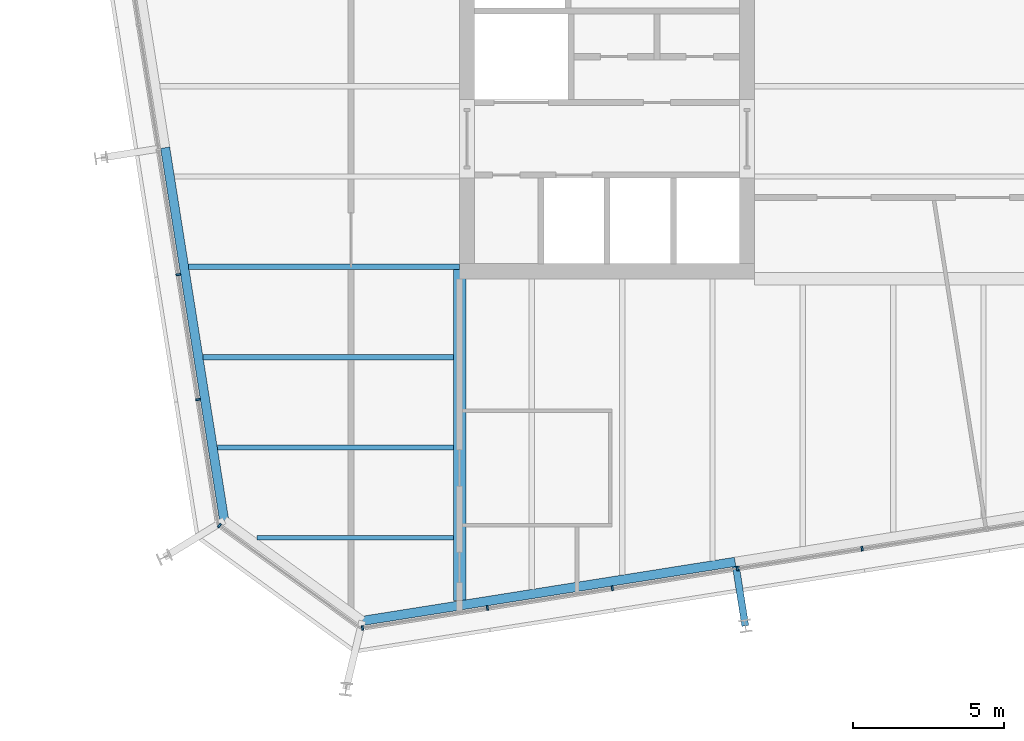
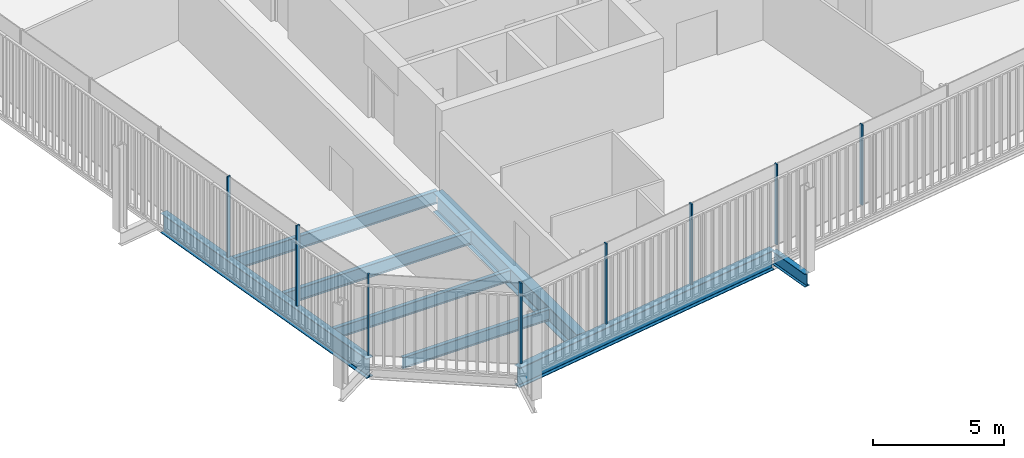
# One storey, part 2 of 20: 8 beams, 8 members, 3 elements without a shape of their own.
"""IFC4 building model written with IfcOpenShell, lengths in metres."""

from ifc_helpers import new_model, si_unit, direction, frame, origin, origin_2d, place, context, subcontext, project, spatial, rectangle, i_section, extrude, material, layer, layer_set, material_profile, profile_set, type_object, element, aggregate, save


model = new_model("IFC4")

# Units and contexts
model_context = context("Model", 3, precision=1e-05, world=origin(), true_north=direction((0.0, 1.0)))
body_context = subcontext(model_context, "Body", "Model", "MODEL_VIEW")
ifc_project = project(units=[si_unit("LENGTHUNIT", "METRE"), si_unit("AREAUNIT", "SQUARE_METRE"), si_unit("VOLUMEUNIT", "CUBIC_METRE"), si_unit("PLANEANGLEUNIT", "RADIAN"), si_unit("MASSUNIT", "GRAM", prefix="KILO")], contexts=[model_context])

# Site, building, storey
site_placement = place(None, origin())
site = spatial("IfcSite", under=ifc_project, at=site_placement, CompositionType="ELEMENT")
building_placement = place(site_placement, origin())
building = spatial("IfcBuilding", under=site, at=building_placement, Name="Millrace Tower", CompositionType="ELEMENT")
storey_placement = place(building_placement, frame((0.0, 0.0, 216.39990234375)))
storey = spatial("IfcBuildingStorey", under=building, at=storey_placement, Name="L49", CompositionType="ELEMENT", Elevation=216.39990234375)

# Curtain wall, member
ifc_material_1 = material(Name="Aluminium and glass", Category="aluminium")
ifc_layer = layer(ifc_material_1, 0.14990234375)
ifc_layer_set = layer_set([ifc_layer], Name="Aluminium and glass")
curtain_wall_type = type_object("IfcCurtainWallType", Name="CW-1 office vision curtain wall", PredefinedType="NOTDEFINED", material=ifc_layer_set)
placement = place(storey_placement, origin())
curtain_wall_1 = element("IfcCurtainWall", 1, at=placement, inside=storey, type_object=curtain_wall_type, Name="Curtain wall D-F01 L49", PredefinedType="NOTDEFINED")
ifc_material_2 = material(Name="Aluminium", Category="aluminium")
ifc_material_profile_1 = material_profile(ifc_material_2, rectangle(XDim=0.06494140625, YDim=0.14990234375, at=origin_2d()))
ifc_profile_set_1 = profile_set([ifc_material_profile_1], Name="Aluminium")
member_type = type_object("IfcMemberType", Name="CW-1 office vision curtain wall mullion", PredefinedType="MULLION", material=ifc_profile_set_1)
member_1_placement = place(storey_placement, frame((-22.3779296875, -17.594970703125, 0.14013671875), z_axis=(0.0, 0.0, 1.0), x_axis=(0.809016955361, -0.587785305991, 0.0)))
member_1 = element("IfcMember", 2, at=member_1_placement, type_object=member_type, Name="CW1 mullion D-F01.1", PredefinedType="MULLION", context=body_context, shape_type="SweptSolid", body=[
    extrude(rectangle(XDim=0.06494140625, YDim=0.14990234375, at=origin_2d()), origin(), (0.0, 0.0, 1.0), 3.760009765625),
])
aggregate(curtain_wall_1, [member_1])

# Curtain wall, members
curtain_wall_2 = element("IfcCurtainWall", 3, at=placement, inside=storey, type_object=curtain_wall_type, Name="Curtain wall D-F02 L49", PredefinedType="NOTDEFINED")
member_2_placement = place(storey_placement, frame((-17.62548828125, -20.992431640625, 0.14013671875), z_axis=(0.0, 0.0, 1.0), x_axis=(0.987688339511, 0.156434471884, 0.0)))
member_2 = element("IfcMember", 4, at=member_2_placement, type_object=member_type, Name="CW1 mullion D-F02.1", PredefinedType="MULLION", context=body_context, shape_type="SweptSolid", body=[
    extrude(rectangle(XDim=0.06494140625, YDim=0.14990234375, at=origin_2d()), origin(), (0.0, 0.0, 1.0), 3.760009765625),
])
member_3_placement = place(storey_placement, frame((-13.477294921875, -20.33544921875, 0.14013671875), z_axis=(0.0, 0.0, 1.0), x_axis=(0.987688339511, 0.156434471884, 0.0)))
member_3 = element("IfcMember", 5, at=member_3_placement, type_object=member_type, Name="CW1 mullion D-F02.2", PredefinedType="MULLION", context=body_context, shape_type="SweptSolid", body=[
    extrude(rectangle(XDim=0.06494140625, YDim=0.14990234375, at=origin_2d()), origin(), (0.0, 0.0, 1.0), 3.760009765625),
])
member_4_placement = place(storey_placement, frame((-9.328857421875, -19.678466796875, 0.14013671875), z_axis=(0.0, 0.0, 1.0), x_axis=(0.987688339511, 0.156434471884, 0.0)))
member_4 = element("IfcMember", 6, at=member_4_placement, type_object=member_type, Name="CW1 mullion D-F02.3", PredefinedType="MULLION", context=body_context, shape_type="SweptSolid", body=[
    extrude(rectangle(XDim=0.06494140625, YDim=0.14990234375, at=origin_2d()), origin(), (0.0, 0.0, 1.0), 3.760009765625),
])
member_5_placement = place(storey_placement, frame((-5.1806640625, -19.021240234375, 0.14013671875), z_axis=(0.0, 0.0, 1.0), x_axis=(0.987688339511, 0.156434471884, 0.0)))
member_5 = element("IfcMember", 7, at=member_5_placement, type_object=member_type, Name="CW1 mullion D-F02.4", PredefinedType="MULLION", context=body_context, shape_type="SweptSolid", body=[
    extrude(rectangle(XDim=0.06494140625, YDim=0.14990234375, at=origin_2d()), origin(), (0.0, 0.0, 1.0), 3.760009765625),
])
member_6_placement = place(storey_placement, frame((-1.0322265625, -18.3642578125, 0.14013671875), z_axis=(0.0, 0.0, 1.0), x_axis=(0.987688339511, 0.156434471884, 0.0)))
member_6 = element("IfcMember", 8, at=member_6_placement, type_object=member_type, Name="CW1 mullion D-F02.5", PredefinedType="MULLION", context=body_context, shape_type="SweptSolid", body=[
    extrude(rectangle(XDim=0.06494140625, YDim=0.14990234375, at=origin_2d()), origin(), (0.0, 0.0, 1.0), 3.760009765625),
])
aggregate(curtain_wall_2, [member_2, member_3, member_4, member_5, member_6])

curtain_wall_3 = element("IfcCurtainWall", 9, at=placement, inside=storey, type_object=curtain_wall_type, Name="Curtain wall D-F08 L49", PredefinedType="NOTDEFINED")
member_7_placement = place(storey_placement, frame((-23.7431640625, -9.262451171875, 0.14013671875), z_axis=(0.0, 0.0, 1.0), x_axis=(0.156434471884, -0.987688339511, 0.0)))
member_7 = element("IfcMember", 10, at=member_7_placement, type_object=member_type, Name="CW1 mullion D-F08.8", PredefinedType="MULLION", context=body_context, shape_type="SweptSolid", body=[
    extrude(rectangle(XDim=0.06494140625, YDim=0.14990234375, at=origin_2d()), origin(), (0.0, 0.0, 1.0), 3.760009765625),
])
member_8_placement = place(storey_placement, frame((-23.086181640625, -13.410888671875, 0.14013671875), z_axis=(0.0, 0.0, 1.0), x_axis=(0.156434471884, -0.987688339511, 0.0)))
member_8 = element("IfcMember", 11, at=member_8_placement, type_object=member_type, Name="CW1 mullion D-F08.9", PredefinedType="MULLION", context=body_context, shape_type="SweptSolid", body=[
    extrude(rectangle(XDim=0.06494140625, YDim=0.14990234375, at=origin_2d()), origin(), (0.0, 0.0, 1.0), 3.760009765625),
])
aggregate(curtain_wall_3, [member_7, member_8])

# Beams
ifc_material_3 = material(Name="Steel ASTM A992 Grade 50", Category="steel")
ifc_material_profile_2 = material_profile(ifc_material_3, i_section(OverallWidth=0.1650390625, OverallDepth=0.52587890625, WebThickness=0.0087890625, FlangeThickness=0.011474609375, FilletRadius=0.0126953125, at=origin_2d()))
ifc_profile_set_2 = profile_set([ifc_material_profile_2], Name="Steel ASTM A992 Grade 50")
beam_type_1 = type_object("IfcBeamType", Name="Floor beam W21x44", PredefinedType="JOIST", material=ifc_profile_set_2)
beam_1_placement = place(storey_placement, frame((-22.447509765625, -15.0, -0.4228515625), z_axis=(1.0, 0.0, 0.0), x_axis=(0.0, 1.0, 0.0)))
element("IfcBeam", 12, at=beam_1_placement, inside=storey, type_object=beam_type_1, Name="BM-D-L49-S1-S002", PredefinedType="JOIST", context=body_context, shape_type="SweptSolid", body=[
    extrude(i_section(OverallWidth=0.1650390625, OverallDepth=0.52587890625, WebThickness=0.0087890625, FlangeThickness=0.011474609375, FilletRadius=0.0126953125, at=origin_2d()), origin(), (0.0, 0.0, 1.0), 7.837890625),
])
beam_2_placement = place(storey_placement, frame((-21.13427734375, -18.0, -0.4228515625), z_axis=(1.0, 0.0, 0.0), x_axis=(0.0, 1.0, 0.0)))
element("IfcBeam", 13, at=beam_2_placement, inside=storey, type_object=beam_type_1, Name="BM-D-L49-S1-S001", PredefinedType="JOIST", context=body_context, shape_type="SweptSolid", body=[
    extrude(i_section(OverallWidth=0.1650390625, OverallDepth=0.52587890625, WebThickness=0.0087890625, FlangeThickness=0.011474609375, FilletRadius=0.0126953125, at=origin_2d()), origin(), (0.0, 0.0, 1.0), 6.524658203125),
])
ifc_material_4 = material(Name="Steel ASTM A992 Grade 50", Category="steel")
ifc_material_profile_3 = material_profile(ifc_material_4, i_section(OverallWidth=0.177978515625, OverallDepth=0.599365234375, WebThickness=0.010009765625, FlangeThickness=0.012939453125, FilletRadius=0.012939453125, at=origin_2d()))
ifc_profile_set_3 = profile_set([ifc_material_profile_3], Name="Steel ASTM A992 Grade 50")
beam_type_2 = type_object("IfcBeamType", Name="Floor beam W24x55", PredefinedType="JOIST", material=ifc_profile_set_3)
beam_3_placement = place(storey_placement, frame((-22.922607421875, -12.0, -0.459716796875), z_axis=(1.0, 0.0, 0.0), x_axis=(0.0, 1.0, 0.0)))
element("IfcBeam", 14, at=beam_3_placement, inside=storey, type_object=beam_type_2, Name="BM-D-L49-S1-S004", PredefinedType="JOIST", context=body_context, shape_type="SweptSolid", body=[
    extrude(i_section(OverallWidth=0.177978515625, OverallDepth=0.599365234375, WebThickness=0.010009765625, FlangeThickness=0.012939453125, FilletRadius=0.012939453125, at=origin_2d()), origin(), (0.0, 0.0, 1.0), 8.31298828125),
])
beam_4_placement = place(storey_placement, frame((-23.397705078125, -9.0, -0.459716796875), z_axis=(1.0, 0.0, 0.0), x_axis=(0.0, 1.0, 0.0)))
element("IfcBeam", 15, at=beam_4_placement, inside=storey, type_object=beam_type_2, Name="BM-D-L49-S1-S006", PredefinedType="JOIST", context=body_context, shape_type="SweptSolid", body=[
    extrude(i_section(OverallWidth=0.177978515625, OverallDepth=0.599365234375, WebThickness=0.010009765625, FlangeThickness=0.012939453125, FilletRadius=0.012939453125, at=origin_2d()), origin(), (0.0, 0.0, 1.0), 8.997802734375),
])
ifc_material_5 = material(Name="Steel ASTM A992 Grade 50", Category="steel")
ifc_material_profile_4 = material_profile(ifc_material_5, i_section(OverallWidth=0.419189453125, OverallDepth=0.927001953125, WebThickness=0.019287109375, FlangeThickness=0.031982421875, FilletRadius=0.024169921875, at=origin_2d()))
ifc_profile_set_4 = profile_set([ifc_material_profile_4], Name="Steel ASTM A992 Grade 50")
beam_type_3 = type_object("IfcBeamType", Name="Girder short span W36x231", PredefinedType="BEAM", material=ifc_profile_set_4)
beam_5_placement = place(storey_placement, frame((-14.39990234375, -20.08642578125, -0.62353515625), z_axis=(0.0, 1.0, 0.0), x_axis=(-1.0, 0.0, 0.0)))
element("IfcBeam", 16, at=beam_5_placement, inside=storey, type_object=beam_type_3, Name="BM-D-L49-S1-G055", PredefinedType="BEAM", context=body_context, shape_type="SweptSolid", body=[
    extrude(i_section(OverallWidth=0.419189453125, OverallDepth=0.927001953125, WebThickness=0.019287109375, FlangeThickness=0.031982421875, FilletRadius=0.024169921875, at=origin_2d()), origin(), (0.0, 0.0, 1.0), 10.994384765625),
])
ifc_material_6 = material(Name="Steel ASTM A992 Grade 50", Category="steel")
ifc_material_profile_5 = material_profile(ifc_material_6, i_section(OverallWidth=0.23046875, OverallDepth=0.6171875, WebThickness=0.01318359375, FlangeThickness=0.022216796875, FilletRadius=0.012939453125, at=origin_2d()))
ifc_profile_set_5 = profile_set([ifc_material_profile_5], Name="Steel ASTM A992 Grade 50")
beam_type_4 = type_object("IfcBeamType", Name="Link beam W24x94", PredefinedType="BEAM", material=ifc_profile_set_5)
beam_6_placement = place(storey_placement, frame((-5.224365234375, -18.952392578125, -0.468505859375), z_axis=(0.15637629034, -0.987697552806, 0.0), x_axis=(0.987697552806, 0.15637629034, 0.0)))
element("IfcBeam", 17, at=beam_6_placement, inside=storey, type_object=beam_type_4, Name="LNK-D-L49-S1-15", PredefinedType="BEAM", context=body_context, shape_type="SweptSolid", body=[
    extrude(i_section(OverallWidth=0.23046875, OverallDepth=0.6171875, WebThickness=0.01318359375, FlangeThickness=0.022216796875, FilletRadius=0.012939453125, at=origin_2d()), origin(), (0.0, 0.0, 1.0), 2.0),
])
ifc_material_7 = material(Name="Steel ASTM A992 Grade 50", Category="steel")
ifc_material_profile_6 = material_profile(ifc_material_7, i_section(OverallWidth=0.307373046875, OverallDepth=0.927001953125, WebThickness=0.01953125, FlangeThickness=0.031982421875, FilletRadius=0.01904296875, at=origin_2d()))
ifc_profile_set_6 = profile_set([ifc_material_profile_6], Name="Steel ASTM A992 Grade 50")
beam_type_5 = type_object("IfcBeamType", Name="Ring beam medium span W36x194", PredefinedType="SPANDREL", material=ifc_profile_set_6)
beam_7_placement = place(storey_placement, frame((-22.218505859375, -17.428466796875, -0.62353515625), z_axis=(-0.156419577072, 0.987690698503, 0.0), x_axis=(-0.987690698503, -0.156419577072, 0.0)))
element("IfcBeam", 18, at=beam_7_placement, inside=storey, type_object=beam_type_5, Name="RNG-D-L49-S1-01", PredefinedType="SPANDREL", context=body_context, shape_type="SweptSolid", body=[
    extrude(i_section(OverallWidth=0.307373046875, OverallDepth=0.927001953125, WebThickness=0.01953125, FlangeThickness=0.031982421875, FilletRadius=0.01904296875, at=origin_2d()), origin(), (0.0, 0.0, 1.0), 12.536376953125),
])
beam_8_placement = place(storey_placement, frame((-5.24853515625, -18.800537109375, -0.62353515625), z_axis=(-0.987687213011, -0.156441584157, 0.0), x_axis=(0.156441584157, -0.987687213011, 0.0)))
element("IfcBeam", 19, at=beam_8_placement, inside=storey, type_object=beam_type_5, Name="RNG-D-L49-S1-15", PredefinedType="SPANDREL", context=body_context, shape_type="SweptSolid", body=[
    extrude(i_section(OverallWidth=0.307373046875, OverallDepth=0.927001953125, WebThickness=0.01953125, FlangeThickness=0.031982421875, FilletRadius=0.01904296875, at=origin_2d()), origin(), (0.0, 0.0, 1.0), 12.5361328125),
])

save(model, "model.ifc")
